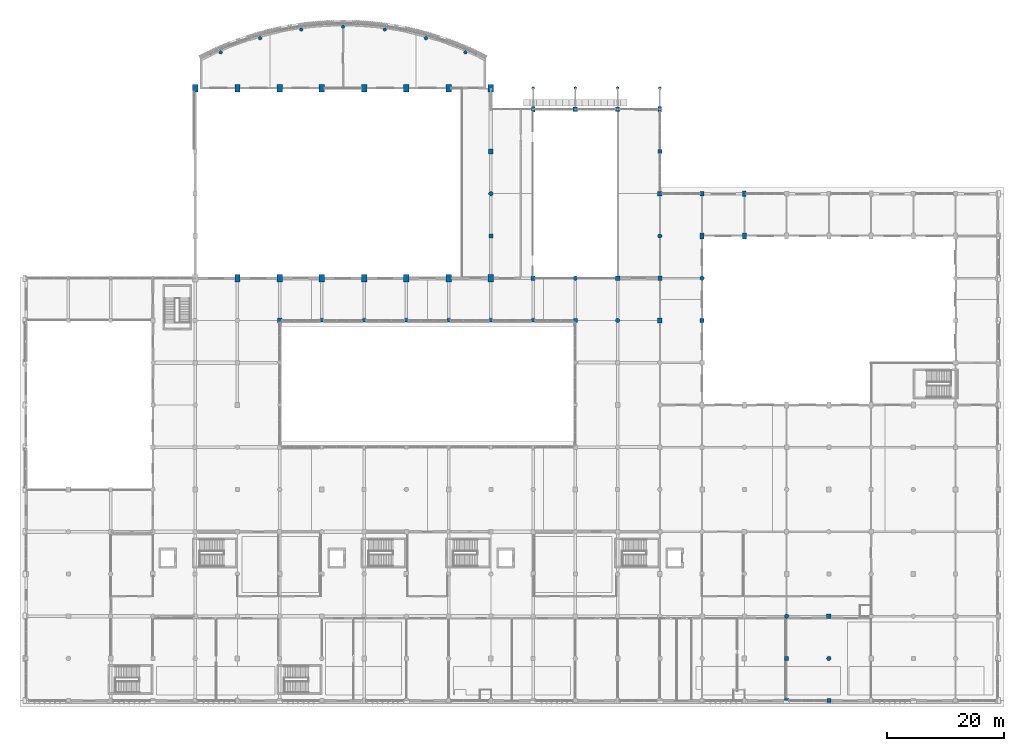
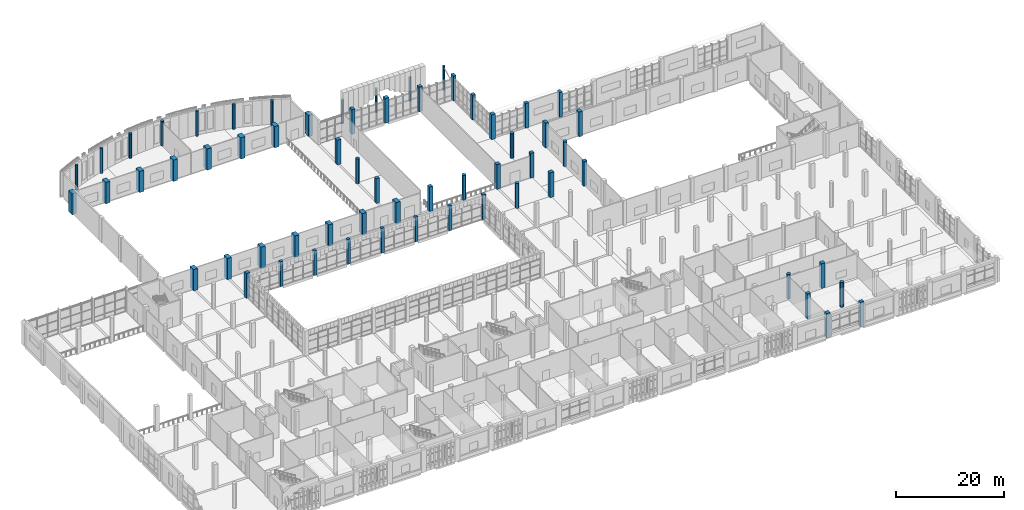
# One storey, part 6 of 80: 62 columns.
"""IFC4 building model written with IfcOpenShell, lengths in metres."""

from ifc_helpers import new_model, si_unit, direction, frame, origin, origin_2d, place, context, subcontext, project, spatial, rectangle, circle, extrude, material, material_profile, profile_set, type_object, element, save


model = new_model("IFC4")

# Units and contexts
model_context = context("Model", 3, precision=1e-05, world=origin(), true_north=direction((0.0, 1.0)))
body_context = subcontext(model_context, "Body", "Model", "MODEL_VIEW")
ifc_project = project(units=[si_unit("LENGTHUNIT", "METRE"), si_unit("AREAUNIT", "SQUARE_METRE"), si_unit("VOLUMEUNIT", "CUBIC_METRE"), si_unit("PLANEANGLEUNIT", "RADIAN"), si_unit("MASSUNIT", "GRAM", prefix="KILO")], contexts=[model_context])

# Site, building, storey
site_placement = place(None, origin())
site = spatial("IfcSite", under=ifc_project, at=site_placement, CompositionType="ELEMENT")
building_placement = place(site_placement, origin())
building = spatial("IfcBuilding", under=site, at=building_placement, Name="Sardonyx Promenade Sports Hall", CompositionType="ELEMENT")
storey_placement = place(building_placement, frame((0.0, 0.0, 5.60009765625)))
storey = spatial("IfcBuildingStorey", under=building, at=storey_placement, Name="L01", CompositionType="ELEMENT", Elevation=5.60009765625)

# Columns
ifc_material_1 = material(Name="Concrete C40/50", Category="concrete")
ifc_material_profile_1 = material_profile(ifc_material_1, rectangle(XDim=0.60009765625, YDim=0.60009765625, at=origin_2d()))
ifc_profile_set_1 = profile_set([ifc_material_profile_1], Name="Concrete C40/50")
column_type_1 = type_object("IfcColumnType", Name="Col_Ext_RC600", PredefinedType="COLUMN", material=ifc_profile_set_1)
for number, where, z_axis, x_axis, name in (
    (1, (50.39990234375, 64.800048828125, 0.0), (0.0, 0.0, 1.0), (1.0, 0.0, 0.0), "Column CE11 L01 (50.4,64.8)"),
    (2, (57.60009765625, 64.800048828125, 0.0), (0.0, 0.0, 1.0), (1.0, 0.0, 0.0), "Column CE11 L01 (57.6,64.8)"),
    (3, (64.800048828125, 64.800048828125, 0.0), (0.0, 0.0, 1.0), (1.0, 0.0, 0.0), "Column CE11 L01 (64.8,64.8)"),
    (4, (72.0, 64.800048828125, 0.0), (0.0, 0.0, 1.0), (1.0, 0.0, 0.0), "Column CE11 L01 (72.0,64.8)"),
    (5, (79.199951171875, 64.800048828125, 0.0), (0.0, 0.0, 1.0), (1.0, 0.0, 0.0), "Column CE11 L01 (79.2,64.8)"),
    (6, (86.39990234375, 64.800048828125, 0.0), (0.0, 0.0, 1.0), (1.0, 0.0, 0.0), "Column CE11 L01 (86.4,64.8)"),
):
    element("IfcColumn", number, at=place(storey_placement, frame(where, z_axis=z_axis, x_axis=x_axis)), inside=storey, type_object=column_type_1, Name=name, PredefinedType="COLUMN", context=body_context, shape_type="SweptSolid", body=[
        extrude(rectangle(XDim=0.60009765625, YDim=0.60009765625, at=origin_2d()), origin(), (0.0, 0.0, 1.0), 5.599853515625),
    ])
ifc_material_2 = material(Name="Concrete C40/50", Category="concrete")
ifc_material_profile_2 = material_profile(ifc_material_2, rectangle(XDim=0.60009765625, YDim=0.89990234375, at=origin_2d()))
ifc_profile_set_2 = profile_set([ifc_material_profile_2], Name="Concrete C40/50")
column_type_2 = type_object("IfcColumnType", Name="Col_Ext_RC600x900", PredefinedType="COLUMN", material=ifc_profile_set_2)
for number, where, z_axis, x_axis, name in (
    (7, (86.39990234375, 100.800048828125, 0.0), (0.0, 0.0, 1.0), (1.0, 0.0, 0.0), "Column CE12 L01 (86.4,100.8)"),
    (8, (108.0, 100.800048828125, 0.0), (0.0, 0.0, 1.0), (1.0, 0.0, 0.0), "Column CE12 L01 (108.0,100.8)"),
    (9, (122.39990234375, 86.39990234375, 0.0), (0.0, 0.0, 1.0), (1.0, 0.0, 0.0), "Column CE12 L01 (122.4,86.4)"),
):
    element("IfcColumn", number, at=place(storey_placement, frame(where, z_axis=z_axis, x_axis=x_axis)), inside=storey, type_object=column_type_2, Name=name, PredefinedType="COLUMN", context=body_context, shape_type="SweptSolid", body=[
        extrude(rectangle(XDim=0.60009765625, YDim=0.89990234375, at=origin_2d()), origin(), (0.0, 0.0, 1.0), 5.599853515625),
    ])
ifc_material_3 = material(Name="Concrete C40/50", Category="concrete")
ifc_material_profile_3 = material_profile(ifc_material_3, rectangle(XDim=0.699951171875, YDim=0.699951171875, at=origin_2d()))
ifc_profile_set_3 = profile_set([ifc_material_profile_3], Name="Concrete C40/50")
column_type_3 = type_object("IfcColumnType", Name="Col_Ext_RC700", PredefinedType="COLUMN", material=ifc_profile_set_3)
for number, where, z_axis, x_axis, name in (
    (10, (100.800048828125, 100.800048828125, 0.0), (0.0, 0.0, 1.0), (1.0, 0.0, 0.0), "Column CE05 L01 (100.8,100.8)"),
    (11, (108.0, 93.60009765625, 0.0), (0.0, 0.0, 1.0), (1.0, 0.0, 0.0), "Column CE05 L01 (108.0,93.6)"),
    (12, (115.199951171875, 86.39990234375, 0.0), (0.0, 0.0, 1.0), (1.0, 0.0, 0.0), "Column CE05 L01 (115.2,86.4)"),
    (13, (136.800048828125, 0.0, 0.0), (0.0, 0.0, 1.0), (1.0, 0.0, 0.0), "Column CE05 L01 (136.8,0.0)"),
):
    element("IfcColumn", number, at=place(storey_placement, frame(where, z_axis=z_axis, x_axis=x_axis)), inside=storey, type_object=column_type_3, Name=name, PredefinedType="COLUMN", context=body_context, shape_type="SweptSolid", body=[
        extrude(rectangle(XDim=0.699951171875, YDim=0.699951171875, at=origin_2d()), origin(), (0.0, 0.0, 1.0), 5.599853515625),
    ])
ifc_material_4 = material(Name="Concrete C50/60", Category="concrete")
ifc_material_profile_4 = material_profile(ifc_material_4, rectangle(XDim=0.699951171875, YDim=1.0, at=origin_2d()))
ifc_profile_set_4 = profile_set([ifc_material_profile_4], Name="Concrete C50/60")
column_type_4 = type_object("IfcColumnType", Name="Col_Ext_RC700x1000", PredefinedType="COLUMN", material=ifc_profile_set_4)
for number, where, z_axis, x_axis, name in (
    (14, (115.199951171875, 79.199951171875, 0.0), (0.0, 0.0, 1.0), (1.0, 0.0, 0.0), "Column CE02 L01 (115.2,79.2)"),
    (15, (122.39990234375, 79.199951171875, 0.0), (0.0, 0.0, 1.0), (1.0, 0.0, 0.0), "Column CE02 L01 (122.4,79.2)"),
):
    element("IfcColumn", number, at=place(storey_placement, frame(where, z_axis=z_axis, x_axis=x_axis)), inside=storey, type_object=column_type_4, Name=name, PredefinedType="COLUMN", context=body_context, shape_type="SweptSolid", body=[
        extrude(rectangle(XDim=0.699951171875, YDim=1.0, at=origin_2d()), origin(), (0.0, 0.0, 1.0), 5.599853515625),
    ])
ifc_material_5 = material(Name="Concrete C50/60", Category="concrete")
ifc_material_profile_5 = material_profile(ifc_material_5, rectangle(XDim=0.800048828125, YDim=0.800048828125, at=origin_2d()))
ifc_profile_set_5 = profile_set([ifc_material_profile_5], Name="Concrete C50/60")
column_type_5 = type_object("IfcColumnType", Name="Col_Ext_RC800", PredefinedType="COLUMN", material=ifc_profile_set_5)
for number, where, z_axis, x_axis, name in (
    (16, (93.60009765625, 100.800048828125, 0.0), (0.0, 0.0, 1.0), (1.0, 0.0, 0.0), "Column CE13 L01 (93.6,100.8)"),
    (17, (129.60009765625, 0.0, 0.0), (0.0, 0.0, 1.0), (1.0, 0.0, 0.0), "Column CE13 L01 (129.6,0.0)"),
):
    element("IfcColumn", number, at=place(storey_placement, frame(where, z_axis=z_axis, x_axis=x_axis)), inside=storey, type_object=column_type_5, Name=name, PredefinedType="COLUMN", context=body_context, shape_type="SweptSolid", body=[
        extrude(rectangle(XDim=0.800048828125, YDim=0.800048828125, at=origin_2d()), origin(), (0.0, 0.0, 1.0), 5.599853515625),
    ])
ifc_material_6 = material(Name="Concrete C50/60", Category="concrete")
ifc_material_profile_6 = material_profile(ifc_material_6, rectangle(XDim=0.89990234375, YDim=1.300048828125, at=origin_2d()))
ifc_profile_set_6 = profile_set([ifc_material_profile_6], Name="Concrete C50/60")
column_type_6 = type_object("IfcColumnType", Name="Col_Ext_RC900x1300", PredefinedType="COLUMN", material=ifc_profile_set_6)
for number, where, z_axis, x_axis, name in (
    (18, (28.800048828125, 104.39990234375, 0.0), (0.0, 0.0, 1.0), (1.0, 0.0, 0.0), "Column CE06 L01 (28.8,104.4)"),
    (19, (36.0, 72.0, 0.0), (0.0, 0.0, 1.0), (1.0, 0.0, 0.0), "Column CE06 L01 (36.0,72.0)"),
    (20, (36.0, 104.39990234375, 0.0), (0.0, 0.0, 1.0), (1.0, 0.0, 0.0), "Column CE06 L01 (36.0,104.4)"),
    (21, (43.199951171875, 72.0, 0.0), (0.0, 0.0, 1.0), (1.0, 0.0, 0.0), "Column CE06 L01 (43.2,72.0)"),
    (22, (43.199951171875, 104.39990234375, 0.0), (0.0, 0.0, 1.0), (1.0, 0.0, 0.0), "Column CE06 L01 (43.2,104.4)"),
    (23, (50.39990234375, 72.0, 0.0), (0.0, 0.0, 1.0), (1.0, 0.0, 0.0), "Column CE06 L01 (50.4,72.0)"),
    (24, (50.39990234375, 104.39990234375, 0.0), (0.0, 0.0, 1.0), (1.0, 0.0, 0.0), "Column CE06 L01 (50.4,104.4)"),
    (25, (57.60009765625, 72.0, 0.0), (0.0, 0.0, 1.0), (1.0, 0.0, 0.0), "Column CE06 L01 (57.6,72.0)"),
    (26, (57.60009765625, 104.39990234375, 0.0), (0.0, 0.0, 1.0), (1.0, 0.0, 0.0), "Column CE06 L01 (57.6,104.4)"),
    (27, (64.800048828125, 72.0, 0.0), (0.0, 0.0, 1.0), (1.0, 0.0, 0.0), "Column CE06 L01 (64.8,72.0)"),
    (28, (64.800048828125, 104.39990234375, 0.0), (0.0, 0.0, 1.0), (1.0, 0.0, 0.0), "Column CE06 L01 (64.8,104.4)"),
    (29, (72.0, 72.0, 0.0), (0.0, 0.0, 1.0), (1.0, 0.0, 0.0), "Column CE06 L01 (72.0,72.0)"),
    (30, (72.0, 104.39990234375, 0.0), (0.0, 0.0, 1.0), (1.0, 0.0, 0.0), "Column CE06 L01 (72.0,104.4)"),
    (31, (79.199951171875, 72.0, 0.0), (0.0, 0.0, 1.0), (1.0, 0.0, 0.0), "Column CE06 L01 (79.2,72.0)"),
    (32, (79.199951171875, 104.39990234375, 0.0), (0.0, 0.0, 1.0), (1.0, 0.0, 0.0), "Column CE06 L01 (79.2,104.4)"),
):
    element("IfcColumn", number, at=place(storey_placement, frame(where, z_axis=z_axis, x_axis=x_axis)), inside=storey, type_object=column_type_6, Name=name, PredefinedType="COLUMN", context=body_context, shape_type="SweptSolid", body=[
        extrude(rectangle(XDim=0.89990234375, YDim=1.300048828125, at=origin_2d()), origin(), (0.0, 0.0, 1.0), 4.7998046875),
    ])
ifc_material_7 = material(Name="Concrete C40/50", Category="concrete")
ifc_material_profile_7 = material_profile(ifc_material_7, circle(Radius=0.25, at=origin_2d()))
ifc_profile_set_7 = profile_set([ifc_material_profile_7], Name="Concrete C40/50")
column_type_7 = type_object("IfcColumnType", Name="Col_Ext_RCD500", PredefinedType="COLUMN", material=ifc_profile_set_7)
for number, where, z_axis, x_axis, name in (
    (33, (86.39990234375, 104.39990234375, 0.0), (0.0, 0.0, 1.0), (1.0, 0.0, 0.0), "Column CE14 L01 (86.4,104.4)"),
    (34, (93.60009765625, 104.39990234375, 0.0), (0.0, 0.0, 1.0), (1.0, 0.0, 0.0), "Column CE14 L01 (93.6,104.4)"),
    (35, (100.800048828125, 104.39990234375, 0.0), (0.0, 0.0, 1.0), (1.0, 0.0, 0.0), "Column CE14 L01 (100.8,104.4)"),
    (36, (108.0, 104.39990234375, 0.0), (0.0, 0.0, 1.0), (1.0, 0.0, 0.0), "Column CE14 L01 (108.0,104.4)"),
):
    element("IfcColumn", number, at=place(storey_placement, frame(where, z_axis=z_axis, x_axis=x_axis)), inside=storey, type_object=column_type_7, Name=name, PredefinedType="COLUMN", context=body_context, shape_type="SweptSolid", body=[
        extrude(circle(Radius=0.25, at=origin_2d()), origin(), (0.0, 0.0, 1.0), 5.419921875),
    ])
ifc_material_8 = material(Name="Concrete C40/50", Category="concrete")
ifc_material_profile_8 = material_profile(ifc_material_8, circle(Radius=0.300048828125, at=origin_2d()))
ifc_profile_set_8 = profile_set([ifc_material_profile_8], Name="Concrete C40/50")
column_type_8 = type_object("IfcColumnType", Name="Col_Ext_RCD600", PredefinedType="COLUMN", material=ifc_profile_set_8)
for number, where, z_axis, x_axis, name in (
    (37, (33.14404296875, 110.48486328125, 0.0), (0.0, 0.0, 1.0), (1.0, 0.0, 0.0), "Column CE15 L01 (33.1,110.5)"),
    (38, (39.8701171875, 112.910888671875, 0.0), (0.0, 0.0, 1.0), (1.0, 0.0, 0.0), "Column CE15 L01 (39.9,112.9)"),
    (39, (46.86669921875, 114.38525390625, 0.0), (0.0, 0.0, 1.0), (1.0, 0.0, 0.0), "Column CE15 L01 (46.9,114.4)"),
    (40, (54.0, 114.8798828125, 0.0), (0.0, 0.0, 1.0), (1.0, 0.0, 0.0), "Column CE15 L01 (54.0,114.9)"),
    (41, (61.13330078125, 114.38525390625, 0.0), (0.0, 0.0, 1.0), (1.0, 0.0, 0.0), "Column CE15 L01 (61.1,114.4)"),
    (42, (68.1298828125, 112.910888671875, 0.0), (0.0, 0.0, 1.0), (1.0, 0.0, 0.0), "Column CE15 L01 (68.1,112.9)"),
    (43, (74.85595703125, 110.48486328125, 0.0), (0.0, 0.0, 1.0), (1.0, 0.0, 0.0), "Column CE15 L01 (74.9,110.5)"),
):
    element("IfcColumn", number, at=place(storey_placement, frame(where, z_axis=z_axis, x_axis=x_axis)), inside=storey, type_object=column_type_8, Name=name, PredefinedType="COLUMN", context=body_context, shape_type="SweptSolid", body=[
        extrude(circle(Radius=0.300048828125, at=origin_2d()), origin(), (0.0, 0.0, 1.0), 5.599853515625),
    ])
ifc_material_9 = material(Name="Concrete C50/60", Category="concrete")
ifc_material_profile_9 = material_profile(ifc_material_9, rectangle(XDim=0.699951171875, YDim=0.699951171875, at=origin_2d()))
ifc_profile_set_9 = profile_set([ifc_material_profile_9], Name="Concrete C50/60")
column_type_9 = type_object("IfcColumnType", Name="Col_Int_RC700", PredefinedType="COLUMN", material=ifc_profile_set_9)
for number, where, z_axis, x_axis, name in (
    (44, (79.199951171875, 79.199951171875, 0.0), (0.0, 0.0, 1.0), (1.0, 0.0, 0.0), "Column CI03 L01 (79.2,79.2)"),
    (45, (86.39990234375, 72.0, 0.0), (0.0, 0.0, 1.0), (1.0, 0.0, 0.0), "Column CI03 L01 (86.4,72.0)"),
    (46, (93.60009765625, 64.800048828125, 0.0), (0.0, 0.0, 1.0), (1.0, 0.0, 0.0), "Column CI03 L01 (93.6,64.8)"),
    (47, (108.0, 72.0, 0.0), (0.0, 0.0, 1.0), (1.0, 0.0, 0.0), "Column CI03 L01 (108.0,72.0)"),
    (48, (115.199951171875, 64.800048828125, 0.0), (0.0, 0.0, 1.0), (1.0, 0.0, 0.0), "Column CI03 L01 (115.2,64.8)"),
    (49, (129.60009765625, 7.199951171875, 0.0), (0.0, 0.0, 1.0), (1.0, 0.0, 0.0), "Column CI03 L01 (129.6,7.2)"),
):
    element("IfcColumn", number, at=place(storey_placement, frame(where, z_axis=z_axis, x_axis=x_axis)), inside=storey, type_object=column_type_9, Name=name, PredefinedType="COLUMN", context=body_context, shape_type="SweptSolid", body=[
        extrude(rectangle(XDim=0.699951171875, YDim=0.699951171875, at=origin_2d()), origin(), (0.0, 0.0, 1.0), 5.599853515625),
    ])
ifc_material_10 = material(Name="Concrete C50/60", Category="concrete")
ifc_material_profile_10 = material_profile(ifc_material_10, rectangle(XDim=0.800048828125, YDim=0.800048828125, at=origin_2d()))
ifc_profile_set_10 = profile_set([ifc_material_profile_10], Name="Concrete C50/60")
column_type_10 = type_object("IfcColumnType", Name="Col_Int_RC800", PredefinedType="COLUMN", material=ifc_profile_set_10)
for number, where, z_axis, x_axis, name in (
    (50, (43.199951171875, 64.800048828125, 0.0), (0.0, 0.0, 1.0), (1.0, 0.0, 0.0), "Column CI01 L01 (43.2,64.8)"),
    (51, (79.199951171875, 93.60009765625, 0.0), (0.0, 0.0, 1.0), (1.0, 0.0, 0.0), "Column CI01 L01 (79.2,93.6)"),
    (52, (100.800048828125, 72.0, 0.0), (0.0, 0.0, 1.0), (1.0, 0.0, 0.0), "Column CI01 L01 (100.8,72.0)"),
    (53, (108.0, 64.800048828125, 0.0), (0.0, 0.0, 1.0), (1.0, 0.0, 0.0), "Column CI01 L01 (108.0,64.8)"),
    (54, (108.0, 86.39990234375, 0.0), (0.0, 0.0, 1.0), (1.0, 0.0, 0.0), "Column CI01 L01 (108.0,86.4)"),
    (55, (136.800048828125, 14.39990234375, 0.0), (0.0, 0.0, 1.0), (1.0, 0.0, 0.0), "Column CI01 L01 (136.8,14.4)"),
):
    element("IfcColumn", number, at=place(storey_placement, frame(where, z_axis=z_axis, x_axis=x_axis)), inside=storey, type_object=column_type_10, Name=name, PredefinedType="COLUMN", context=body_context, shape_type="SweptSolid", body=[
        extrude(rectangle(XDim=0.800048828125, YDim=0.800048828125, at=origin_2d()), origin(), (0.0, 0.0, 1.0), 5.599853515625),
    ])
ifc_material_11 = material(Name="Concrete C50/60", Category="concrete")
ifc_material_profile_11 = material_profile(ifc_material_11, circle(Radius=0.375, at=origin_2d()))
ifc_profile_set_11 = profile_set([ifc_material_profile_11], Name="Concrete C50/60")
column_type_11 = type_object("IfcColumnType", Name="Col_Int_RCD750", PredefinedType="COLUMN", material=ifc_profile_set_11)
for number, where, z_axis, x_axis, name in (
    (56, (79.199951171875, 86.39990234375, 0.0), (0.0, 0.0, 1.0), (1.0, 0.0, 0.0), "Column CI07 L01 (79.2,86.4)"),
    (57, (93.60009765625, 72.0, 0.0), (0.0, 0.0, 1.0), (1.0, 0.0, 0.0), "Column CI07 L01 (93.6,72.0)"),
    (58, (100.800048828125, 64.800048828125, 0.0), (0.0, 0.0, 1.0), (1.0, 0.0, 0.0), "Column CI07 L01 (100.8,64.8)"),
    (59, (108.0, 79.199951171875, 0.0), (0.0, 0.0, 1.0), (1.0, 0.0, 0.0), "Column CI07 L01 (108.0,79.2)"),
    (60, (115.199951171875, 72.0, 0.0), (0.0, 0.0, 1.0), (1.0, 0.0, 0.0), "Column CI07 L01 (115.2,72.0)"),
    (61, (129.60009765625, 14.39990234375, 0.0), (0.0, 0.0, 1.0), (1.0, 0.0, 0.0), "Column CI07 L01 (129.6,14.4)"),
    (62, (136.800048828125, 7.199951171875, 0.0), (0.0, 0.0, 1.0), (1.0, 0.0, 0.0), "Column CI07 L01 (136.8,7.2)"),
):
    element("IfcColumn", number, at=place(storey_placement, frame(where, z_axis=z_axis, x_axis=x_axis)), inside=storey, type_object=column_type_11, Name=name, PredefinedType="COLUMN", context=body_context, shape_type="SweptSolid", body=[
        extrude(circle(Radius=0.375, at=origin_2d()), origin(), (0.0, 0.0, 1.0), 5.599853515625),
    ])

save(model, "model.ifc")
